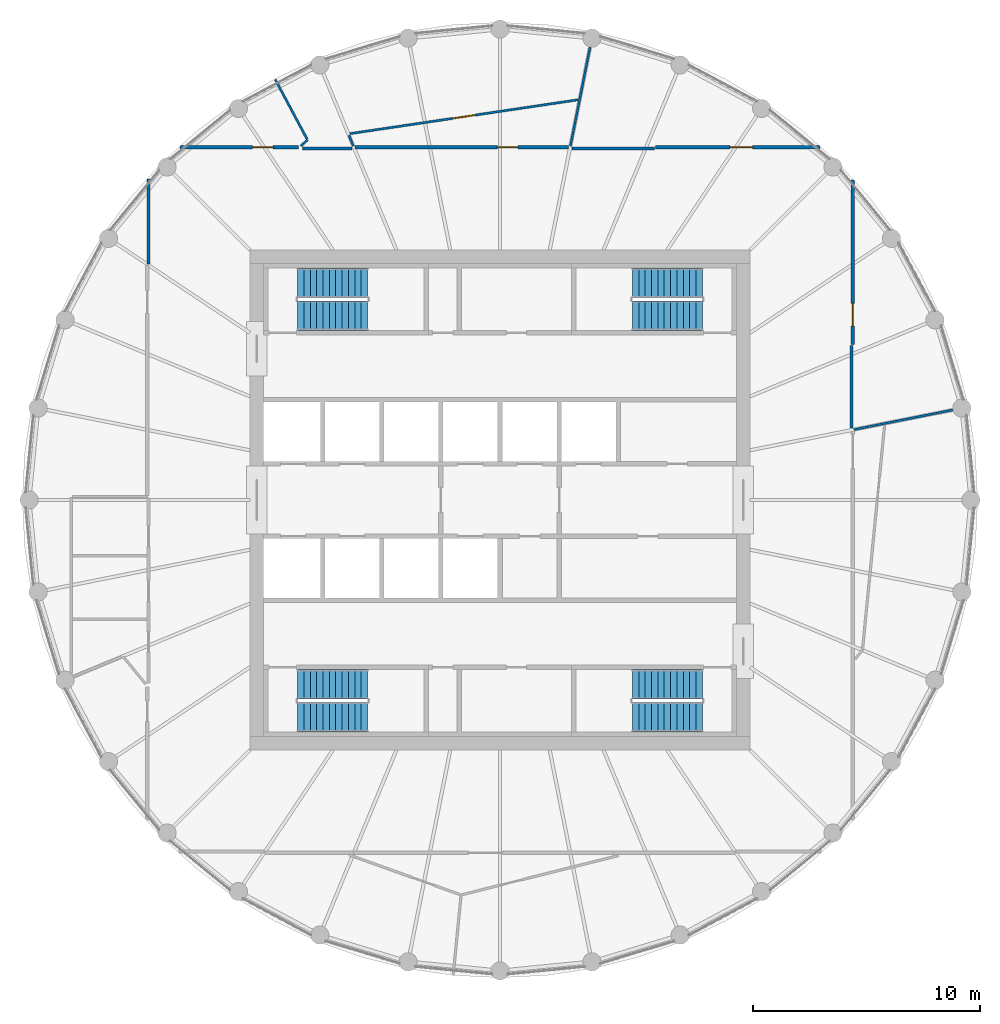
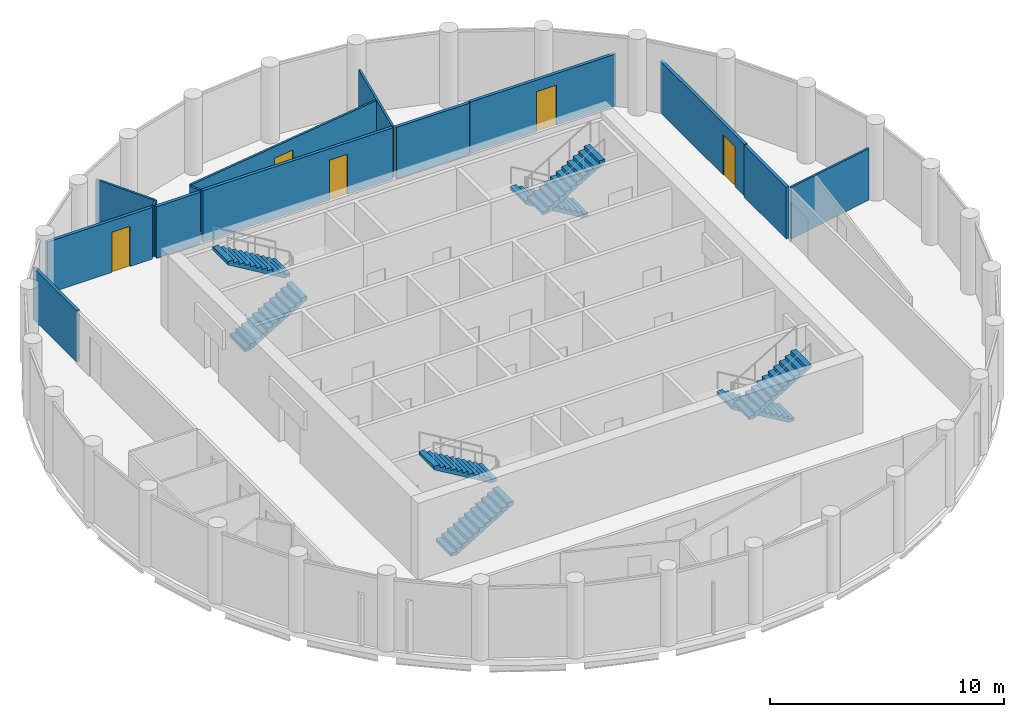
# One storey, part 6 of 7: 14 walls, 8 stair flights, 5 doors, 5 openings, 4 elements without a shape of their own.
"""IFC4 building model written with IfcOpenShell, lengths in metres."""

from ifc_helpers import new_model, si_unit, direction, frame, frame_2d, origin, place, context, subcontext, project, spatial, polyline, rectangle, outline, extrude, material, layer, layer_set, type_object, element, fill, aggregate, save


model = new_model("IFC4")

# Units and contexts
model_context = context("Model", 3, precision=1e-05, world=origin(), true_north=direction((0.0, 1.0)))
body_context = subcontext(model_context, "Body", "Model", "MODEL_VIEW")
ifc_project = project(units=[si_unit("LENGTHUNIT", "METRE"), si_unit("AREAUNIT", "SQUARE_METRE"), si_unit("VOLUMEUNIT", "CUBIC_METRE"), si_unit("PLANEANGLEUNIT", "RADIAN"), si_unit("MASSUNIT", "GRAM", prefix="KILO")], contexts=[model_context])

# Site, building, storey
site_placement = place(None, origin())
site = spatial("IfcSite", under=ifc_project, at=site_placement, CompositionType="ELEMENT")
building_placement = place(site_placement, origin())
building = spatial("IfcBuilding", under=site, at=building_placement, Name="Corvane Civic Tower", CompositionType="ELEMENT")
storey_placement = place(building_placement, frame((0.0, 0.0, 348.5)))
storey = spatial("IfcBuildingStorey", under=building, at=storey_placement, Name="L83", CompositionType="ELEMENT", Elevation=348.5)

# Walls
ifc_material_1 = material(Name="Plasterboard")
ifc_layer_1 = layer(ifc_material_1, 0.10009765625)
ifc_layer_set_1 = layer_set([ifc_layer_1], Name="Plasterboard")
wall_type_1 = type_object("IfcWallType", Name="Partition 100 plasterboard on studs", PredefinedType="PARTITIONING", material=ifc_layer_set_1)
for number, where, z_axis, x_axis, name in (
    (1, (15.5498046875, 3.093017578125, 0.0), (0.0, 0.0, 1.0), (0.980779166012, 0.195121058618, 0.0), "Partition L83.020"),
    (2, (3.093017578125, 15.5498046875, 0.0), (0.0, 0.0, 1.0), (0.195121058618, 0.980779166012, 0.0), "Partition L83.029"),
):
    element("IfcWall", number, at=place(storey_placement, frame(where, z_axis=z_axis, x_axis=x_axis)), inside=storey, type_object=wall_type_1, Name=name, PredefinedType="PARTITIONING", context=body_context, shape_type="SweptSolid", body=[
        extrude(rectangle(XDim=4.435546875, YDim=0.10009765625, at=frame_2d((2.2177734375, 0.0))), origin(), (0.0, 0.0, 1.0), 2.699951171875),
    ])
wall_1_placement = place(storey_placement, frame((-6.6416015625, 16.034423828125, 0.0), z_axis=(0.0, 0.0, 1.0), x_axis=(0.38249150512, -0.923959008025, 0.0)))
element("IfcWall", 3, at=wall_1_placement, inside=storey, type_object=wall_type_1, Name="Partition L83.030", PredefinedType="PARTITIONING", context=body_context, shape_type="SweptSolid", body=[
    extrude(rectangle(XDim=0.514404296875, YDim=0.10009765625, at=frame_2d((0.25732421875, 0.0))), origin(), (0.0, 0.0, 1.0), 2.699951171875),
])
wall_2_placement = place(storey_placement, frame((-9.8759765625, 18.476318359375, 0.0), z_axis=(0.0, 0.0, 1.0), x_axis=(0.471455678269, -0.881889756958, 0.0)))
element("IfcWall", 4, at=wall_2_placement, inside=storey, type_object=wall_type_1, Name="Partition L83.031", PredefinedType="PARTITIONING", context=body_context, shape_type="SweptSolid", body=[
    extrude(rectangle(XDim=2.964599609375, YDim=0.10009765625, at=frame_2d((1.482421875, 0.0))), origin(), (0.0, 0.0, 1.0), 2.699951171875),
])

# Wall, opening, door
wall_3_placement = place(storey_placement, frame((-6.602783203125, 16.10302734375, 0.0), z_axis=(0.0, 0.0, 1.0), x_axis=(0.989177601329, 0.146723116884, 0.0)))
wall_3 = element("IfcWall", 5, at=wall_3_placement, inside=storey, type_object=wall_type_1, Name="Partition L83.032", PredefinedType="PARTITIONING", context=body_context, shape_type="SweptSolid", body=[
    extrude(rectangle(XDim=10.1435546875, YDim=0.10009765625, at=frame_2d((5.07177734375, 0.0))), origin(), (0.0, 0.0, 1.0), 2.699951171875),
])
opening_1_placement = place(wall_3_placement, frame((4.5751953125, 0.0, 0.0)))
opening_1 = element("IfcOpeningElement", 6, at=opening_1_placement, cuts=wall_3, Name="Opening L83.012", PredefinedType="OPENING", context=body_context, shape_type="SweptSolid", body=[
    extrude(rectangle(XDim=1.0, YDim=2.10009765625, at=frame_2d((0.5, 1.050048828125))), frame((0.0, 0.06005859375, 0.0), z_axis=(0.0, -1.0, 0.0), x_axis=(1.0, 0.0, 0.0)), (0.0, 0.0, 1.0), 0.1201171875),
])
ifc_material_2 = material(Name="Timber", Category="wood")
door_type_1 = type_object("IfcDoorType", Name="Single door 1000", OperationType="NOTDEFINED", PredefinedType="DOOR", material=ifc_material_2)
door_1_placement = place(opening_1_placement, origin())
door_1 = element("IfcDoor", 7, at=door_1_placement, inside=storey, type_object=door_type_1, Name="Door L83.012", OperationType="SINGLE_SWING_RIGHT", OverallHeight=2.10009765625, OverallWidth=1.0, PredefinedType="DOOR", context=body_context, shape_type="SweptSolid", body=[
    extrude(rectangle(XDim=1.0, YDim=2.10009765625, at=frame_2d((0.5, 1.050048828125))), frame((0.0, 0.02490234375, 0.0), z_axis=(0.0, -1.0, 0.0), x_axis=(1.0, 0.0, 0.0)), (0.0, 0.0, 1.0), 0.050048828125),
])
fill(opening_1, door_1)

# Walls
wall_4_placement = place(storey_placement, frame((-8.755126953125, 15.56005859375, 0.0), z_axis=(0.0, 0.0, 1.0), x_axis=(0.741187107418, 0.671298496793, 0.0)))
element("IfcWall", 8, at=wall_4_placement, inside=storey, type_object=wall_type_1, Name="Partition L83.033", PredefinedType="PARTITIONING", context=body_context, shape_type="SweptSolid", body=[
    extrude(rectangle(XDim=0.398193359375, YDim=0.10009765625, at=frame_2d((0.19921875, 0.0))), origin(), (0.0, 0.0, 1.0), 2.699951171875),
])
ifc_material_3 = material(Name="Plasterboard")
ifc_layer_2 = layer(ifc_material_3, 0.14990234375)
ifc_layer_set_2 = layer_set([ifc_layer_2], Name="Plasterboard")
wall_type_2 = type_object("IfcWallType", Name="Tenancy wall 150 EI 60", PredefinedType="PARTITIONING", material=ifc_layer_set_2)
wall_5_placement = place(storey_placement, frame((15.449951171875, 3.16455078125, 0.0), z_axis=(0.0, 0.0, 1.0), x_axis=(0.0, 1.0, 0.0)))
element("IfcWall", 9, at=wall_5_placement, inside=storey, type_object=wall_type_2, Name="Partition L83.021", PredefinedType="PARTITIONING", context=body_context, shape_type="SweptSolid", body=[
    extrude(rectangle(XDim=3.616455078125, YDim=0.14990234375, at=frame_2d((1.80810546875, 0.0))), origin(), (0.0, 0.0, 1.0), 2.699951171875),
])

# Wall, opening, door
wall_6_placement = place(storey_placement, frame((15.5, 6.8310546875, 0.0), z_axis=(0.0, 0.0, 1.0), x_axis=(0.0, 1.0, 0.0)))
wall_6 = element("IfcWall", 10, at=wall_6_placement, inside=storey, type_object=wall_type_2, Name="Partition L83.022", PredefinedType="PARTITIONING", context=body_context, shape_type="SweptSolid", body=[
    extrude(rectangle(XDim=7.22607421875, YDim=0.14990234375, at=frame_2d((3.613037109375, 0.0))), origin(), (0.0, 0.0, 1.0), 2.699951171875),
])
opening_2_placement = place(wall_6_placement, frame((0.8125, 0.0, 0.0)))
opening_2 = element("IfcOpeningElement", 11, at=opening_2_placement, cuts=wall_6, Name="Opening L83.015", PredefinedType="OPENING", context=body_context, shape_type="SweptSolid", body=[
    extrude(rectangle(XDim=1.0, YDim=2.10009765625, at=frame_2d((0.5, 1.050048828125))), frame((0.0, 0.0849609375, 0.0), z_axis=(0.0, -1.0, 0.0), x_axis=(1.0, 0.0, 0.0)), (0.0, 0.0, 1.0), 0.169921875),
])
ifc_material_4 = material(Name="Steel and timber", Category="steel")
door_type_2 = type_object("IfcDoorType", Name="Fire door FD30S 1000", OperationType="NOTDEFINED", PredefinedType="DOOR", material=ifc_material_4)
door_2_placement = place(opening_2_placement, frame((1.0, 0.0, 0.0), z_axis=(0.0, 0.0, 1.0), x_axis=(-1.0, 0.0, 0.0)))
door_2 = element("IfcDoor", 12, at=door_2_placement, inside=storey, type_object=door_type_2, Name="Door L83.015", OperationType="SINGLE_SWING_RIGHT", OverallHeight=2.10009765625, OverallWidth=1.0, PredefinedType="DOOR", context=body_context, shape_type="SweptSolid", body=[
    extrude(rectangle(XDim=1.0, YDim=2.10009765625, at=frame_2d((0.5, 1.050048828125))), frame((0.0, 0.02490234375, 0.0), z_axis=(0.0, -1.0, 0.0), x_axis=(1.0, 0.0, 0.0)), (0.0, 0.0, 1.0), 0.050048828125),
])
fill(opening_2, door_2)

# Walls
wall_7_placement = place(storey_placement, frame((-15.449951171875, 10.380859375, 0.0), z_axis=(0.0, 0.0, 1.0), x_axis=(0.0, 1.0, 0.0)))
element("IfcWall", 13, at=wall_7_placement, inside=storey, type_object=wall_type_2, Name="Partition L83.023", PredefinedType="PARTITIONING", context=body_context, shape_type="SweptSolid", body=[
    extrude(rectangle(XDim=3.7314453125, YDim=0.14990234375, at=frame_2d((1.86572265625, 0.0))), origin(), (0.0, 0.0, 1.0), 2.699951171875),
])
wall_8_placement = place(storey_placement, frame((-8.681884765625, 15.449951171875, 0.0), z_axis=(0.0, 0.0, 1.0), x_axis=(1.0, 0.0, 0.0)))
element("IfcWall", 14, at=wall_8_placement, inside=storey, type_object=wall_type_2, Name="Partition L83.024", PredefinedType="PARTITIONING", context=body_context, shape_type="SweptSolid", body=[
    extrude(rectangle(XDim=2.170166015625, YDim=0.14990234375, at=frame_2d((1.0849609375, 0.0))), origin(), (0.0, 0.0, 1.0), 2.699951171875),
])
wall_9_placement = place(storey_placement, frame((3.16455078125, 15.449951171875, 0.0), z_axis=(0.0, 0.0, 1.0), x_axis=(1.0, 0.0, 0.0)))
element("IfcWall", 15, at=wall_9_placement, inside=storey, type_object=wall_type_2, Name="Partition L83.025", PredefinedType="PARTITIONING", context=body_context, shape_type="SweptSolid", body=[
    extrude(rectangle(XDim=3.616455078125, YDim=0.14990234375, at=frame_2d((1.80810546875, 0.0))), origin(), (0.0, 0.0, 1.0), 2.699951171875),
])

# Wall, opening, door
wall_10_placement = place(storey_placement, frame((-14.05712890625, 15.5, 0.0), z_axis=(0.0, 0.0, 1.0), x_axis=(1.0, 0.0, 0.0)))
wall_10 = element("IfcWall", 16, at=wall_10_placement, inside=storey, type_object=wall_type_2, Name="Partition L83.026", PredefinedType="PARTITIONING", context=body_context, shape_type="SweptSolid", body=[
    extrude(rectangle(XDim=5.20703125, YDim=0.14990234375, at=frame_2d((2.603515625, 0.0))), origin(), (0.0, 0.0, 1.0), 2.699951171875),
])
opening_3_placement = place(wall_10_placement, frame((3.1875, 0.0, 0.0)))
opening_3 = element("IfcOpeningElement", 17, at=opening_3_placement, cuts=wall_10, Name="Opening L83.011", PredefinedType="OPENING", context=body_context, shape_type="SweptSolid", body=[
    extrude(rectangle(XDim=0.89990234375, YDim=2.10009765625, at=frame_2d((0.449951171875, 1.050048828125))), frame((0.0, 0.0849609375, 0.0), z_axis=(0.0, -1.0, 0.0), x_axis=(1.0, 0.0, 0.0)), (0.0, 0.0, 1.0), 0.169921875),
])
ifc_material_5 = material(Name="Steel and timber", Category="steel")
door_type_3 = type_object("IfcDoorType", Name="Fire door FD30S 900", OperationType="NOTDEFINED", PredefinedType="DOOR", material=ifc_material_5)
door_3_placement = place(opening_3_placement, origin())
door_3 = element("IfcDoor", 18, at=door_3_placement, inside=storey, type_object=door_type_3, Name="Door L83.011", OperationType="SINGLE_SWING_LEFT", OverallHeight=2.10009765625, OverallWidth=0.89990234375, PredefinedType="DOOR", context=body_context, shape_type="SweptSolid", body=[
    extrude(rectangle(XDim=0.89990234375, YDim=2.10009765625, at=frame_2d((0.449951171875, 1.050048828125))), frame((0.0, 0.02490234375, 0.0), z_axis=(0.0, -1.0, 0.0), x_axis=(1.0, 0.0, 0.0)), (0.0, 0.0, 1.0), 0.050048828125),
])
fill(opening_3, door_3)

wall_11_placement = place(storey_placement, frame((-6.3701171875, 15.5, 0.0), z_axis=(0.0, 0.0, 1.0), x_axis=(1.0, 0.0, 0.0)))
wall_11 = element("IfcWall", 19, at=wall_11_placement, inside=storey, type_object=wall_type_2, Name="Partition L83.027", PredefinedType="PARTITIONING", context=body_context, shape_type="SweptSolid", body=[
    extrude(rectangle(XDim=9.3916015625, YDim=0.14990234375, at=frame_2d((4.69580078125, 0.0))), origin(), (0.0, 0.0, 1.0), 2.699951171875),
])
opening_4_placement = place(wall_11_placement, frame((6.25732421875, 0.0, 0.0)))
opening_4 = element("IfcOpeningElement", 20, at=opening_4_placement, cuts=wall_11, Name="Opening L83.013", PredefinedType="OPENING", context=body_context, shape_type="SweptSolid", body=[
    extrude(rectangle(XDim=0.89990234375, YDim=2.10009765625, at=frame_2d((0.449951171875, 1.050048828125))), frame((0.0, 0.0849609375, 0.0), z_axis=(0.0, -1.0, 0.0), x_axis=(1.0, 0.0, 0.0)), (0.0, 0.0, 1.0), 0.169921875),
])
door_4_placement = place(opening_4_placement, origin())
door_4 = element("IfcDoor", 21, at=door_4_placement, inside=storey, type_object=door_type_3, Name="Door L83.013", OperationType="SINGLE_SWING_LEFT", OverallHeight=2.10009765625, OverallWidth=0.89990234375, PredefinedType="DOOR", context=body_context, shape_type="SweptSolid", body=[
    extrude(rectangle(XDim=0.89990234375, YDim=2.10009765625, at=frame_2d((0.449951171875, 1.050048828125))), frame((0.0, 0.02490234375, 0.0), z_axis=(0.0, -1.0, 0.0), x_axis=(1.0, 0.0, 0.0)), (0.0, 0.0, 1.0), 0.050048828125),
])
fill(opening_4, door_4)

wall_12_placement = place(storey_placement, frame((6.8310546875, 15.5, 0.0), z_axis=(0.0, 0.0, 1.0), x_axis=(1.0, 0.0, 0.0)))
wall_12 = element("IfcWall", 22, at=wall_12_placement, inside=storey, type_object=wall_type_2, Name="Partition L83.028", PredefinedType="PARTITIONING", context=body_context, shape_type="SweptSolid", body=[
    extrude(rectangle(XDim=7.22607421875, YDim=0.14990234375, at=frame_2d((3.613037109375, 0.0))), origin(), (0.0, 0.0, 1.0), 2.699951171875),
])
opening_5_placement = place(wall_12_placement, frame((3.27490234375, 0.0, 0.0)))
opening_5 = element("IfcOpeningElement", 23, at=opening_5_placement, cuts=wall_12, Name="Opening L83.014", PredefinedType="OPENING", context=body_context, shape_type="SweptSolid", body=[
    extrude(rectangle(XDim=1.0, YDim=2.10009765625, at=frame_2d((0.5, 1.050048828125))), frame((0.0, 0.0849609375, 0.0), z_axis=(0.0, -1.0, 0.0), x_axis=(1.0, 0.0, 0.0)), (0.0, 0.0, 1.0), 0.169921875),
])
door_5_placement = place(opening_5_placement, origin())
door_5 = element("IfcDoor", 24, at=door_5_placement, inside=storey, type_object=door_type_2, Name="Door L83.014", OperationType="SINGLE_SWING_LEFT", OverallHeight=2.10009765625, OverallWidth=1.0, PredefinedType="DOOR", context=body_context, shape_type="SweptSolid", body=[
    extrude(rectangle(XDim=1.0, YDim=2.10009765625, at=frame_2d((0.5, 1.050048828125))), frame((0.0, 0.02490234375, 0.0), z_axis=(0.0, -1.0, 0.0), x_axis=(1.0, 0.0, 0.0)), (0.0, 0.0, 1.0), 0.050048828125),
])
fill(opening_5, door_5)

# Stair, stair flights
ifc_material_6 = material(Name="Concrete C40/50", Category="concrete")
stair_type = type_object("IfcStairType", Name="ST-STAIR-HALFTURN", PredefinedType="HALF_TURN_STAIR", material=ifc_material_6)
stair_1_placement = place(storey_placement, origin())
stair_1 = element("IfcStair", 25, at=stair_1_placement, inside=storey, type_object=stair_type, Name="L83 Exit stair ST1", PredefinedType="HALF_TURN_STAIR")
ifc_material_7 = material(Name="Concrete C40/50", Category="concrete")
stair_flight_type = type_object("IfcStairFlightType", Name="ST-FLIGHT-RC", PredefinedType="STRAIGHT", material=ifc_material_7)
stair_flight_1_placement = place(storey_placement, frame((8.89990234375, 9.550048828125, 0.0), z_axis=(0.0, 0.0, 1.0), x_axis=(-1.0, 0.0, 0.0)))
stair_flight_1 = element("IfcStairFlight", 26, at=stair_flight_1_placement, type_object=stair_flight_type, Name="ST1 flight 1", NumberOfRisers=12, NumberOfTreads=11, PredefinedType="STRAIGHT", RiserHeight=0.166666667, TreadLength=0.28, context=body_context, shape_type="SweptSolid", body=[
    extrude(outline(polyline([(0.0, 0.0), (0.0, 0.166748046875), (0.280029296875, 0.166748046875), (0.280029296875, 0.333251953125), (0.56005859375, 0.333251953125), (0.56005859375, 0.5), (0.840087890625, 0.5), (0.840087890625, 0.666748046875), (1.1201171875, 0.666748046875), (1.1201171875, 0.833251953125), (1.39990234375, 0.833251953125), (1.39990234375, 1.0), (1.679931640625, 1.0), (1.679931640625, 1.166748046875), (1.9599609375, 1.166748046875), (1.9599609375, 1.333251953125), (2.239990234375, 1.333251953125), (2.239990234375, 1.5), (2.52001953125, 1.5), (2.52001953125, 1.666748046875), (2.800048828125, 1.666748046875), (2.800048828125, 1.833251953125), (3.080078125, 1.833251953125), (3.080078125, 2.0), (3.080078125, 1.658935546875), (0.29296875, 0.0), (0.0, 0.0)])), frame((0.0, 0.64990234375, 0.0), z_axis=(0.0, -1.0, 0.0), x_axis=(1.0, 0.0, 0.0)), (0.0, 0.0, 1.0), 1.300048828125),
])
stair_flight_2_placement = place(storey_placement, frame((5.820068359375, 8.10009765625, 2.0), z_axis=(0.0, 0.0, 1.0), x_axis=(1.0, 0.0, 0.0)))
stair_flight_2 = element("IfcStairFlight", 27, at=stair_flight_2_placement, type_object=stair_flight_type, Name="ST1 flight 2", NumberOfRisers=12, NumberOfTreads=11, PredefinedType="STRAIGHT", RiserHeight=0.166666667, TreadLength=0.28, context=body_context, shape_type="SweptSolid", body=[
    extrude(outline(polyline([(0.0, 0.0), (0.0, 0.166748046875), (0.280029296875, 0.166748046875), (0.280029296875, 0.333251953125), (0.56005859375, 0.333251953125), (0.56005859375, 0.5), (0.840087890625, 0.5), (0.840087890625, 0.666748046875), (1.1201171875, 0.666748046875), (1.1201171875, 0.833251953125), (1.39990234375, 0.833251953125), (1.39990234375, 1.0), (1.679931640625, 1.0), (1.679931640625, 1.166748046875), (1.9599609375, 1.166748046875), (1.9599609375, 1.333251953125), (2.239990234375, 1.333251953125), (2.239990234375, 1.5), (2.52001953125, 1.5), (2.52001953125, 1.666748046875), (2.800048828125, 1.666748046875), (2.800048828125, 1.833251953125), (3.080078125, 1.833251953125), (3.080078125, 2.0), (3.080078125, 1.658935546875), (0.29296875, 0.0), (0.0, 0.0)])), frame((0.0, 0.64990234375, 0.0), z_axis=(0.0, -1.0, 0.0), x_axis=(1.0, 0.0, 0.0)), (0.0, 0.0, 1.0), 1.300048828125),
])
aggregate(stair_1, [stair_flight_1, stair_flight_2])

stair_2_placement = place(storey_placement, origin())
stair_2 = element("IfcStair", 28, at=stair_2_placement, inside=storey, type_object=stair_type, Name="L83 Exit stair ST2", PredefinedType="HALF_TURN_STAIR")
stair_flight_3_placement = place(storey_placement, frame((8.89990234375, -8.10009765625, 0.0), z_axis=(0.0, 0.0, 1.0), x_axis=(-1.0, 0.0, 0.0)))
stair_flight_3 = element("IfcStairFlight", 29, at=stair_flight_3_placement, type_object=stair_flight_type, Name="ST2 flight 1", NumberOfRisers=12, NumberOfTreads=11, PredefinedType="STRAIGHT", RiserHeight=0.166666667, TreadLength=0.28, context=body_context, shape_type="SweptSolid", body=[
    extrude(outline(polyline([(0.0, 0.0), (0.0, 0.166748046875), (0.280029296875, 0.166748046875), (0.280029296875, 0.333251953125), (0.56005859375, 0.333251953125), (0.56005859375, 0.5), (0.840087890625, 0.5), (0.840087890625, 0.666748046875), (1.1201171875, 0.666748046875), (1.1201171875, 0.833251953125), (1.39990234375, 0.833251953125), (1.39990234375, 1.0), (1.679931640625, 1.0), (1.679931640625, 1.166748046875), (1.9599609375, 1.166748046875), (1.9599609375, 1.333251953125), (2.239990234375, 1.333251953125), (2.239990234375, 1.5), (2.52001953125, 1.5), (2.52001953125, 1.666748046875), (2.800048828125, 1.666748046875), (2.800048828125, 1.833251953125), (3.080078125, 1.833251953125), (3.080078125, 2.0), (3.080078125, 1.658935546875), (0.29296875, 0.0), (0.0, 0.0)])), frame((0.0, 0.64990234375, 0.0), z_axis=(0.0, -1.0, 0.0), x_axis=(1.0, 0.0, 0.0)), (0.0, 0.0, 1.0), 1.300048828125),
])
stair_flight_4_placement = place(storey_placement, frame((5.820068359375, -9.550048828125, 2.0), z_axis=(0.0, 0.0, 1.0), x_axis=(1.0, 0.0, 0.0)))
stair_flight_4 = element("IfcStairFlight", 30, at=stair_flight_4_placement, type_object=stair_flight_type, Name="ST2 flight 2", NumberOfRisers=12, NumberOfTreads=11, PredefinedType="STRAIGHT", RiserHeight=0.166666667, TreadLength=0.28, context=body_context, shape_type="SweptSolid", body=[
    extrude(outline(polyline([(0.0, 0.0), (0.0, 0.166748046875), (0.280029296875, 0.166748046875), (0.280029296875, 0.333251953125), (0.56005859375, 0.333251953125), (0.56005859375, 0.5), (0.840087890625, 0.5), (0.840087890625, 0.666748046875), (1.1201171875, 0.666748046875), (1.1201171875, 0.833251953125), (1.39990234375, 0.833251953125), (1.39990234375, 1.0), (1.679931640625, 1.0), (1.679931640625, 1.166748046875), (1.9599609375, 1.166748046875), (1.9599609375, 1.333251953125), (2.239990234375, 1.333251953125), (2.239990234375, 1.5), (2.52001953125, 1.5), (2.52001953125, 1.666748046875), (2.800048828125, 1.666748046875), (2.800048828125, 1.833251953125), (3.080078125, 1.833251953125), (3.080078125, 2.0), (3.080078125, 1.658935546875), (0.29296875, 0.0), (0.0, 0.0)])), frame((0.0, 0.64990234375, 0.0), z_axis=(0.0, -1.0, 0.0), x_axis=(1.0, 0.0, 0.0)), (0.0, 0.0, 1.0), 1.300048828125),
])
aggregate(stair_2, [stair_flight_3, stair_flight_4])

stair_3_placement = place(storey_placement, origin())
stair_3 = element("IfcStair", 31, at=stair_3_placement, inside=storey, type_object=stair_type, Name="L83 Exit stair ST3", PredefinedType="HALF_TURN_STAIR")
stair_flight_5_placement = place(storey_placement, frame((-8.89990234375, -9.550048828125, 0.0), z_axis=(0.0, 0.0, 1.0), x_axis=(1.0, 0.0, 0.0)))
stair_flight_5 = element("IfcStairFlight", 32, at=stair_flight_5_placement, type_object=stair_flight_type, Name="ST3 flight 1", NumberOfRisers=12, NumberOfTreads=11, PredefinedType="STRAIGHT", RiserHeight=0.166666667, TreadLength=0.28, context=body_context, shape_type="SweptSolid", body=[
    extrude(outline(polyline([(0.0, 0.0), (0.0, 0.166748046875), (0.280029296875, 0.166748046875), (0.280029296875, 0.333251953125), (0.56005859375, 0.333251953125), (0.56005859375, 0.5), (0.840087890625, 0.5), (0.840087890625, 0.666748046875), (1.1201171875, 0.666748046875), (1.1201171875, 0.833251953125), (1.39990234375, 0.833251953125), (1.39990234375, 1.0), (1.679931640625, 1.0), (1.679931640625, 1.166748046875), (1.9599609375, 1.166748046875), (1.9599609375, 1.333251953125), (2.239990234375, 1.333251953125), (2.239990234375, 1.5), (2.52001953125, 1.5), (2.52001953125, 1.666748046875), (2.800048828125, 1.666748046875), (2.800048828125, 1.833251953125), (3.080078125, 1.833251953125), (3.080078125, 2.0), (3.080078125, 1.658935546875), (0.29296875, 0.0), (0.0, 0.0)])), frame((0.0, 0.64990234375, 0.0), z_axis=(0.0, -1.0, 0.0), x_axis=(1.0, 0.0, 0.0)), (0.0, 0.0, 1.0), 1.300048828125),
])
stair_flight_6_placement = place(storey_placement, frame((-5.820068359375, -8.10009765625, 2.0), z_axis=(0.0, 0.0, 1.0), x_axis=(-1.0, 0.0, 0.0)))
stair_flight_6 = element("IfcStairFlight", 33, at=stair_flight_6_placement, type_object=stair_flight_type, Name="ST3 flight 2", NumberOfRisers=12, NumberOfTreads=11, PredefinedType="STRAIGHT", RiserHeight=0.166666667, TreadLength=0.28, context=body_context, shape_type="SweptSolid", body=[
    extrude(outline(polyline([(0.0, 0.0), (0.0, 0.166748046875), (0.280029296875, 0.166748046875), (0.280029296875, 0.333251953125), (0.56005859375, 0.333251953125), (0.56005859375, 0.5), (0.840087890625, 0.5), (0.840087890625, 0.666748046875), (1.1201171875, 0.666748046875), (1.1201171875, 0.833251953125), (1.39990234375, 0.833251953125), (1.39990234375, 1.0), (1.679931640625, 1.0), (1.679931640625, 1.166748046875), (1.9599609375, 1.166748046875), (1.9599609375, 1.333251953125), (2.239990234375, 1.333251953125), (2.239990234375, 1.5), (2.52001953125, 1.5), (2.52001953125, 1.666748046875), (2.800048828125, 1.666748046875), (2.800048828125, 1.833251953125), (3.080078125, 1.833251953125), (3.080078125, 2.0), (3.080078125, 1.658935546875), (0.29296875, 0.0), (0.0, 0.0)])), frame((0.0, 0.64990234375, 0.0), z_axis=(0.0, -1.0, 0.0), x_axis=(1.0, 0.0, 0.0)), (0.0, 0.0, 1.0), 1.300048828125),
])
aggregate(stair_3, [stair_flight_5, stair_flight_6])

stair_4_placement = place(storey_placement, origin())
stair_4 = element("IfcStair", 34, at=stair_4_placement, inside=storey, type_object=stair_type, Name="L83 Exit stair ST4", PredefinedType="HALF_TURN_STAIR")
stair_flight_7_placement = place(storey_placement, frame((-8.89990234375, 8.10009765625, 0.0), z_axis=(0.0, 0.0, 1.0), x_axis=(1.0, 0.0, 0.0)))
stair_flight_7 = element("IfcStairFlight", 35, at=stair_flight_7_placement, type_object=stair_flight_type, Name="ST4 flight 1", NumberOfRisers=12, NumberOfTreads=11, PredefinedType="STRAIGHT", RiserHeight=0.166666667, TreadLength=0.28, context=body_context, shape_type="SweptSolid", body=[
    extrude(outline(polyline([(0.0, 0.0), (0.0, 0.166748046875), (0.280029296875, 0.166748046875), (0.280029296875, 0.333251953125), (0.56005859375, 0.333251953125), (0.56005859375, 0.5), (0.840087890625, 0.5), (0.840087890625, 0.666748046875), (1.1201171875, 0.666748046875), (1.1201171875, 0.833251953125), (1.39990234375, 0.833251953125), (1.39990234375, 1.0), (1.679931640625, 1.0), (1.679931640625, 1.166748046875), (1.9599609375, 1.166748046875), (1.9599609375, 1.333251953125), (2.239990234375, 1.333251953125), (2.239990234375, 1.5), (2.52001953125, 1.5), (2.52001953125, 1.666748046875), (2.800048828125, 1.666748046875), (2.800048828125, 1.833251953125), (3.080078125, 1.833251953125), (3.080078125, 2.0), (3.080078125, 1.658935546875), (0.29296875, 0.0), (0.0, 0.0)])), frame((0.0, 0.64990234375, 0.0), z_axis=(0.0, -1.0, 0.0), x_axis=(1.0, 0.0, 0.0)), (0.0, 0.0, 1.0), 1.300048828125),
])
stair_flight_8_placement = place(storey_placement, frame((-5.820068359375, 9.550048828125, 2.0), z_axis=(0.0, 0.0, 1.0), x_axis=(-1.0, 0.0, 0.0)))
stair_flight_8 = element("IfcStairFlight", 36, at=stair_flight_8_placement, type_object=stair_flight_type, Name="ST4 flight 2", NumberOfRisers=12, NumberOfTreads=11, PredefinedType="STRAIGHT", RiserHeight=0.166666667, TreadLength=0.28, context=body_context, shape_type="SweptSolid", body=[
    extrude(outline(polyline([(0.0, 0.0), (0.0, 0.166748046875), (0.280029296875, 0.166748046875), (0.280029296875, 0.333251953125), (0.56005859375, 0.333251953125), (0.56005859375, 0.5), (0.840087890625, 0.5), (0.840087890625, 0.666748046875), (1.1201171875, 0.666748046875), (1.1201171875, 0.833251953125), (1.39990234375, 0.833251953125), (1.39990234375, 1.0), (1.679931640625, 1.0), (1.679931640625, 1.166748046875), (1.9599609375, 1.166748046875), (1.9599609375, 1.333251953125), (2.239990234375, 1.333251953125), (2.239990234375, 1.5), (2.52001953125, 1.5), (2.52001953125, 1.666748046875), (2.800048828125, 1.666748046875), (2.800048828125, 1.833251953125), (3.080078125, 1.833251953125), (3.080078125, 2.0), (3.080078125, 1.658935546875), (0.29296875, 0.0), (0.0, 0.0)])), frame((0.0, 0.64990234375, 0.0), z_axis=(0.0, -1.0, 0.0), x_axis=(1.0, 0.0, 0.0)), (0.0, 0.0, 1.0), 1.300048828125),
])
aggregate(stair_4, [stair_flight_7, stair_flight_8])

save(model, "model.ifc")
